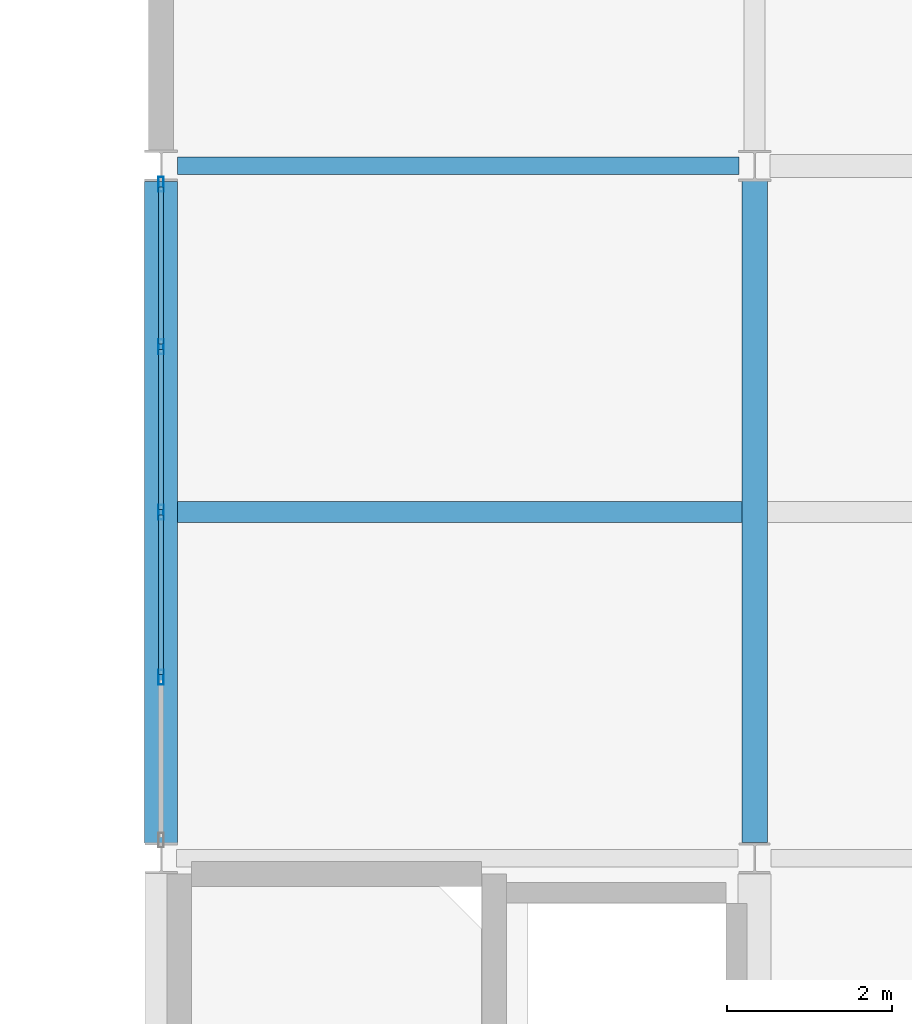
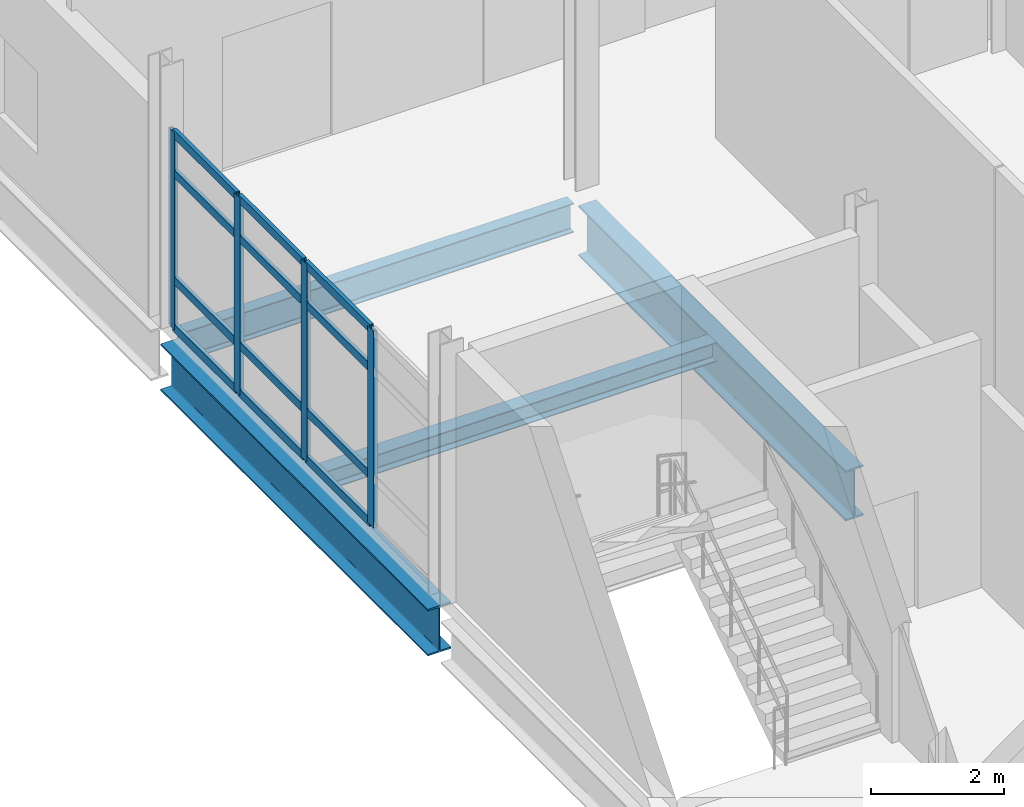
# One storey, part 48 of 153: 16 members, 4 beams, 1 element without a shape of its own.
"""IFC4 building model written with IfcOpenShell, lengths in metres."""

from ifc_helpers import new_model, si_unit, direction, frame, origin, origin_2d, place, context, subcontext, project, spatial, hollow_rectangle, i_section, extrude, material, layer, layer_set, material_profile, profile_set, type_object, element, aggregate, save


model = new_model("IFC4")

# Units and contexts
model_context = context("Model", 3, precision=1e-05, world=origin(), true_north=direction((0.0, 1.0)))
body_context = subcontext(model_context, "Body", "Model", "MODEL_VIEW")
ifc_project = project(units=[si_unit("LENGTHUNIT", "METRE"), si_unit("AREAUNIT", "SQUARE_METRE"), si_unit("VOLUMEUNIT", "CUBIC_METRE"), si_unit("PLANEANGLEUNIT", "RADIAN"), si_unit("MASSUNIT", "GRAM", prefix="KILO")], contexts=[model_context])

# Site, building, storey
site_placement = place(None, origin())
site = spatial("IfcSite", under=ifc_project, at=site_placement, CompositionType="ELEMENT")
building_placement = place(site_placement, origin())
building = spatial("IfcBuilding", under=site, at=building_placement, Name="Calvrana Isthmian Art Gallery", CompositionType="ELEMENT")
storey_placement = place(building_placement, frame((0.0, 0.0, 10.199951171875)))
storey = spatial("IfcBuildingStorey", under=building, at=storey_placement, Name="L02", CompositionType="ELEMENT", Elevation=10.199951171875)

# Beams
ifc_material_1 = material(Name="Steel ASTM A992 Gr 50", Category="steel")
ifc_material_profile_1 = material_profile(ifc_material_1, i_section(OverallWidth=0.208984375, OverallDepth=0.532958984375, WebThickness=0.01025390625, FlangeThickness=0.015625, FilletRadius=0.02099609375, at=origin_2d()), Name="W21X62")
ifc_profile_set_1 = profile_set([ifc_material_profile_1], Name="Steel ASTM A992 Gr 50")
beam_type_1 = type_object("IfcBeamType", Name="BM-G-W21X62", PredefinedType="BEAM", material=ifc_profile_set_1)
beam_1_placement = place(storey_placement, frame((112.9970703125, 38.39990234375, -0.531494140625), z_axis=(1.0, 0.0, 0.0), x_axis=(0.0, 1.0, 0.0)))
element("IfcBeam", 1, at=beam_1_placement, inside=storey, type_object=beam_type_1, Name="Girder X L02 15-16/F", PredefinedType="BEAM", context=body_context, shape_type="SweptSolid", body=[
    extrude(i_section(OverallWidth=0.208984375, OverallDepth=0.532958984375, WebThickness=0.01025390625, FlangeThickness=0.015625, FilletRadius=0.02099609375, at=origin_2d()), origin(), (0.0, 0.0, 1.0), 6.81640625),
])
ifc_material_profile_2 = material_profile(ifc_material_1, i_section(OverallWidth=0.40087890625, OverallDepth=0.85595703125, WebThickness=0.018310546875, FlangeThickness=0.029296875, FilletRadius=0.02587890625, at=origin_2d()), Name="W33X201")
ifc_profile_set_2 = profile_set([ifc_material_profile_2], Name="Steel ASTM A992 Gr 50")
beam_type_2 = type_object("IfcBeamType", Name="BM-G-W33X201", PredefinedType="BEAM", material=ifc_profile_set_2)
beam_2_placement = place(storey_placement, frame((112.800048828125, 30.1865234375, -0.69287109375), z_axis=(0.0, 1.0, 0.0), x_axis=(-1.0, 0.0, 0.0)))
element("IfcBeam", 2, at=beam_2_placement, inside=storey, type_object=beam_type_2, Name="Girder Y L02 15/E-F", PredefinedType="BEAM", context=body_context, shape_type="SweptSolid", body=[
    extrude(i_section(OverallWidth=0.40087890625, OverallDepth=0.85595703125, WebThickness=0.018310546875, FlangeThickness=0.029296875, FilletRadius=0.02587890625, at=origin_2d()), origin(), (0.0, 0.0, 1.0), 8.025390625),
])
ifc_material_profile_3 = material_profile(ifc_material_1, i_section(OverallWidth=0.306884765625, OverallDepth=0.927001953125, WebThickness=0.019287109375, FlangeThickness=0.031982421875, FilletRadius=0.028076171875, at=origin_2d()), Name="W36X194")
ifc_profile_set_3 = profile_set([ifc_material_profile_3], Name="Steel ASTM A992 Gr 50")
beam_type_3 = type_object("IfcBeamType", Name="BM-G-W36X194", PredefinedType="BEAM", material=ifc_profile_set_3)
beam_3_placement = place(storey_placement, frame((120.0, 30.193115234375, -0.728515625), z_axis=(0.0, 1.0, 0.0), x_axis=(-1.0, 0.0, 0.0)))
element("IfcBeam", 3, at=beam_3_placement, inside=storey, type_object=beam_type_3, Name="Girder Y L02 16/E-F", PredefinedType="BEAM", context=body_context, shape_type="SweptSolid", body=[
    extrude(i_section(OverallWidth=0.306884765625, OverallDepth=0.927001953125, WebThickness=0.019287109375, FlangeThickness=0.031982421875, FilletRadius=0.028076171875, at=origin_2d()), origin(), (0.0, 0.0, 1.0), 8.020263671875),
])
ifc_material_profile_4 = material_profile(ifc_material_1, i_section(OverallWidth=0.25390625, OverallDepth=0.35302734375, WebThickness=0.009521484375, FlangeThickness=0.016357421875, FilletRadius=0.01806640625, at=origin_2d()), Name="W14X61")
ifc_profile_set_4 = profile_set([ifc_material_profile_4], Name="Steel ASTM A992 Gr 50")
beam_type_4 = type_object("IfcBeamType", Name="BM-J-W14X61", PredefinedType="JOIST", material=ifc_profile_set_4)
beam_4_placement = place(storey_placement, frame((113.00048828125, 34.199951171875, -0.44140625), z_axis=(1.0, 0.0, 0.0), x_axis=(0.0, 1.0, 0.0)))
element("IfcBeam", 4, at=beam_4_placement, inside=storey, type_object=beam_type_4, Name="Composite joist L02 bay 14-04", PredefinedType="JOIST", context=body_context, shape_type="SweptSolid", body=[
    extrude(i_section(OverallWidth=0.25390625, OverallDepth=0.35302734375, WebThickness=0.009521484375, FlangeThickness=0.016357421875, FilletRadius=0.01806640625, at=origin_2d()), origin(), (0.0, 0.0, 1.0), 6.845947265625),
])

# Curtain wall, members
ifc_material_2 = material(Name="Anodized bronze aluminium 6063-T6", Category="aluminium")
ifc_layer = layer(ifc_material_2, 0.179931640625, Name="Anodized bronze aluminium 6063-T6")
ifc_layer_set = layer_set([ifc_layer], Name="Anodized bronze aluminium 6063-T6")
curtain_wall_type = type_object("IfcCurtainWallType", Name="CW-UNIT-080X36", PredefinedType="USERDEFINED", material=ifc_layer_set)
curtain_wall_placement = place(storey_placement, origin())
curtain_wall = element("IfcCurtainWall", 5, at=curtain_wall_placement, inside=storey, type_object=curtain_wall_type, Name="Curtain wall CW-182", ObjectType="UNITISED CURTAIN WALL", PredefinedType="USERDEFINED")
ifc_material_profile_5 = material_profile(ifc_material_2, hollow_rectangle(XDim=0.06494140625, YDim=0.179931640625, WallThickness=0.00439453125, at=origin_2d()), Name="CWM65X180")
ifc_profile_set_5 = profile_set([ifc_material_profile_5], Name="Anodized bronze aluminium 6063-T6")
member_type_1 = type_object("IfcMemberType", Name="CWM-CWM65X180", PredefinedType="MULLION", material=ifc_profile_set_5)
member_1_placement = place(storey_placement, frame((112.800048828125, 32.193359375, 0.0), z_axis=(0.0, 0.0, 1.0), x_axis=(-1.0, 0.0, 0.0)))
member_1 = element("IfcMember", 6, at=member_1_placement, type_object=member_type_1, Name="CW-182 mullion 2", PredefinedType="MULLION", context=body_context, shape_type="SweptSolid", body=[
    extrude(hollow_rectangle(XDim=0.06494140625, YDim=0.179931640625, WallThickness=0.00439453125, at=origin_2d()), origin(), (0.0, 0.0, 1.0), 3.613037109375),
])
member_2_placement = place(storey_placement, frame((112.800048828125, 34.19873046875, 0.0), z_axis=(0.0, 0.0, 1.0), x_axis=(-1.0, 0.0, 0.0)))
member_2 = element("IfcMember", 7, at=member_2_placement, type_object=member_type_1, Name="CW-182 mullion 3", PredefinedType="MULLION", context=body_context, shape_type="SweptSolid", body=[
    extrude(hollow_rectangle(XDim=0.06494140625, YDim=0.179931640625, WallThickness=0.00439453125, at=origin_2d()), origin(), (0.0, 0.0, 1.0), 3.613037109375),
])
member_3_placement = place(storey_placement, frame((112.800048828125, 36.2041015625, 0.0), z_axis=(0.0, 0.0, 1.0), x_axis=(-1.0, 0.0, 0.0)))
member_3 = element("IfcMember", 8, at=member_3_placement, type_object=member_type_1, Name="CW-182 mullion 4", PredefinedType="MULLION", context=body_context, shape_type="SweptSolid", body=[
    extrude(hollow_rectangle(XDim=0.06494140625, YDim=0.179931640625, WallThickness=0.00439453125, at=origin_2d()), origin(), (0.0, 0.0, 1.0), 3.613037109375),
])
member_4_placement = place(storey_placement, frame((112.800048828125, 38.177001953125, 0.0), z_axis=(0.0, 0.0, 1.0), x_axis=(-1.0, 0.0, 0.0)))
member_4 = element("IfcMember", 9, at=member_4_placement, type_object=member_type_1, Name="CW-182 mullion 5", PredefinedType="MULLION", context=body_context, shape_type="SweptSolid", body=[
    extrude(hollow_rectangle(XDim=0.06494140625, YDim=0.179931640625, WallThickness=0.00439453125, at=origin_2d()), origin(), (0.0, 0.0, 1.0), 3.613037109375),
])
ifc_material_profile_6 = material_profile(ifc_material_2, hollow_rectangle(XDim=0.06494140625, YDim=0.14990234375, WallThickness=0.00390625, at=origin_2d()), Name="CWT65X150")
ifc_profile_set_6 = profile_set([ifc_material_profile_6], Name="Anodized bronze aluminium 6063-T6")
member_type_2 = type_object("IfcMemberType", Name="CWT-CWT65X150", PredefinedType="USERDEFINED", material=ifc_profile_set_6)
member_5_placement = place(storey_placement, frame((112.800048828125, 32.225830078125, 0.032470703125), z_axis=(0.0, 1.0, 0.0), x_axis=(-1.0, 0.0, 0.0)))
member_5 = element("IfcMember", 10, at=member_5_placement, type_object=member_type_2, Name="CW-182 transom 2.1", ObjectType="TRANSOM", PredefinedType="USERDEFINED", context=body_context, shape_type="SweptSolid", body=[
    extrude(hollow_rectangle(XDim=0.06494140625, YDim=0.14990234375, WallThickness=0.00390625, at=origin_2d()), origin(), (0.0, 0.0, 1.0), 1.9404296875),
])
member_6_placement = place(storey_placement, frame((112.800048828125, 32.225830078125, 0.900146484375), z_axis=(0.0, 1.0, 0.0), x_axis=(-1.0, 0.0, 0.0)))
member_6 = element("IfcMember", 11, at=member_6_placement, type_object=member_type_2, Name="CW-182 transom 2.2", ObjectType="TRANSOM", PredefinedType="USERDEFINED", context=body_context, shape_type="SweptSolid", body=[
    extrude(hollow_rectangle(XDim=0.06494140625, YDim=0.14990234375, WallThickness=0.00390625, at=origin_2d()), origin(), (0.0, 0.0, 1.0), 1.9404296875),
])
member_7_placement = place(storey_placement, frame((112.800048828125, 32.225830078125, 2.863037109375), z_axis=(0.0, 1.0, 0.0), x_axis=(-1.0, 0.0, 0.0)))
member_7 = element("IfcMember", 12, at=member_7_placement, type_object=member_type_2, Name="CW-182 transom 2.3", ObjectType="TRANSOM", PredefinedType="USERDEFINED", context=body_context, shape_type="SweptSolid", body=[
    extrude(hollow_rectangle(XDim=0.06494140625, YDim=0.14990234375, WallThickness=0.00390625, at=origin_2d()), origin(), (0.0, 0.0, 1.0), 1.9404296875),
])
member_8_placement = place(storey_placement, frame((112.800048828125, 32.225830078125, 3.58056640625), z_axis=(0.0, 1.0, 0.0), x_axis=(-1.0, 0.0, 0.0)))
member_8 = element("IfcMember", 13, at=member_8_placement, type_object=member_type_2, Name="CW-182 transom 2.4", ObjectType="TRANSOM", PredefinedType="USERDEFINED", context=body_context, shape_type="SweptSolid", body=[
    extrude(hollow_rectangle(XDim=0.06494140625, YDim=0.14990234375, WallThickness=0.00390625, at=origin_2d()), origin(), (0.0, 0.0, 1.0), 1.9404296875),
])
member_9_placement = place(storey_placement, frame((112.800048828125, 34.231201171875, 0.032470703125), z_axis=(0.0, 1.0, 0.0), x_axis=(-1.0, 0.0, 0.0)))
member_9 = element("IfcMember", 14, at=member_9_placement, type_object=member_type_2, Name="CW-182 transom 3.1", ObjectType="TRANSOM", PredefinedType="USERDEFINED", context=body_context, shape_type="SweptSolid", body=[
    extrude(hollow_rectangle(XDim=0.06494140625, YDim=0.14990234375, WallThickness=0.00390625, at=origin_2d()), origin(), (0.0, 0.0, 1.0), 1.9404296875),
])
member_10_placement = place(storey_placement, frame((112.800048828125, 34.231201171875, 0.900146484375), z_axis=(0.0, 1.0, 0.0), x_axis=(-1.0, 0.0, 0.0)))
member_10 = element("IfcMember", 15, at=member_10_placement, type_object=member_type_2, Name="CW-182 transom 3.2", ObjectType="TRANSOM", PredefinedType="USERDEFINED", context=body_context, shape_type="SweptSolid", body=[
    extrude(hollow_rectangle(XDim=0.06494140625, YDim=0.14990234375, WallThickness=0.00390625, at=origin_2d()), origin(), (0.0, 0.0, 1.0), 1.9404296875),
])
member_11_placement = place(storey_placement, frame((112.800048828125, 34.231201171875, 2.863037109375), z_axis=(0.0, 1.0, 0.0), x_axis=(-1.0, 0.0, 0.0)))
member_11 = element("IfcMember", 16, at=member_11_placement, type_object=member_type_2, Name="CW-182 transom 3.3", ObjectType="TRANSOM", PredefinedType="USERDEFINED", context=body_context, shape_type="SweptSolid", body=[
    extrude(hollow_rectangle(XDim=0.06494140625, YDim=0.14990234375, WallThickness=0.00390625, at=origin_2d()), origin(), (0.0, 0.0, 1.0), 1.9404296875),
])
member_12_placement = place(storey_placement, frame((112.800048828125, 34.231201171875, 3.58056640625), z_axis=(0.0, 1.0, 0.0), x_axis=(-1.0, 0.0, 0.0)))
member_12 = element("IfcMember", 17, at=member_12_placement, type_object=member_type_2, Name="CW-182 transom 3.4", ObjectType="TRANSOM", PredefinedType="USERDEFINED", context=body_context, shape_type="SweptSolid", body=[
    extrude(hollow_rectangle(XDim=0.06494140625, YDim=0.14990234375, WallThickness=0.00390625, at=origin_2d()), origin(), (0.0, 0.0, 1.0), 1.9404296875),
])
member_13_placement = place(storey_placement, frame((112.800048828125, 36.236572265625, 0.032470703125), z_axis=(0.0, 1.0, 0.0), x_axis=(-1.0, 0.0, 0.0)))
member_13 = element("IfcMember", 18, at=member_13_placement, type_object=member_type_2, Name="CW-182 transom 4.1", ObjectType="TRANSOM", PredefinedType="USERDEFINED", context=body_context, shape_type="SweptSolid", body=[
    extrude(hollow_rectangle(XDim=0.06494140625, YDim=0.14990234375, WallThickness=0.00390625, at=origin_2d()), origin(), (0.0, 0.0, 1.0), 1.907958984375),
])
member_14_placement = place(storey_placement, frame((112.800048828125, 36.236572265625, 0.900146484375), z_axis=(0.0, 1.0, 0.0), x_axis=(-1.0, 0.0, 0.0)))
member_14 = element("IfcMember", 19, at=member_14_placement, type_object=member_type_2, Name="CW-182 transom 4.2", ObjectType="TRANSOM", PredefinedType="USERDEFINED", context=body_context, shape_type="SweptSolid", body=[
    extrude(hollow_rectangle(XDim=0.06494140625, YDim=0.14990234375, WallThickness=0.00390625, at=origin_2d()), origin(), (0.0, 0.0, 1.0), 1.907958984375),
])
member_15_placement = place(storey_placement, frame((112.800048828125, 36.236572265625, 2.863037109375), z_axis=(0.0, 1.0, 0.0), x_axis=(-1.0, 0.0, 0.0)))
member_15 = element("IfcMember", 20, at=member_15_placement, type_object=member_type_2, Name="CW-182 transom 4.3", ObjectType="TRANSOM", PredefinedType="USERDEFINED", context=body_context, shape_type="SweptSolid", body=[
    extrude(hollow_rectangle(XDim=0.06494140625, YDim=0.14990234375, WallThickness=0.00390625, at=origin_2d()), origin(), (0.0, 0.0, 1.0), 1.907958984375),
])
member_16_placement = place(storey_placement, frame((112.800048828125, 36.236572265625, 3.58056640625), z_axis=(0.0, 1.0, 0.0), x_axis=(-1.0, 0.0, 0.0)))
member_16 = element("IfcMember", 21, at=member_16_placement, type_object=member_type_2, Name="CW-182 transom 4.4", ObjectType="TRANSOM", PredefinedType="USERDEFINED", context=body_context, shape_type="SweptSolid", body=[
    extrude(hollow_rectangle(XDim=0.06494140625, YDim=0.14990234375, WallThickness=0.00390625, at=origin_2d()), origin(), (0.0, 0.0, 1.0), 1.907958984375),
])
aggregate(curtain_wall, [member_1, member_2, member_3, member_4, member_5, member_6, member_7, member_8, member_9, member_10, member_11, member_12, member_13, member_14, member_15, member_16])

save(model, "model.ifc")
